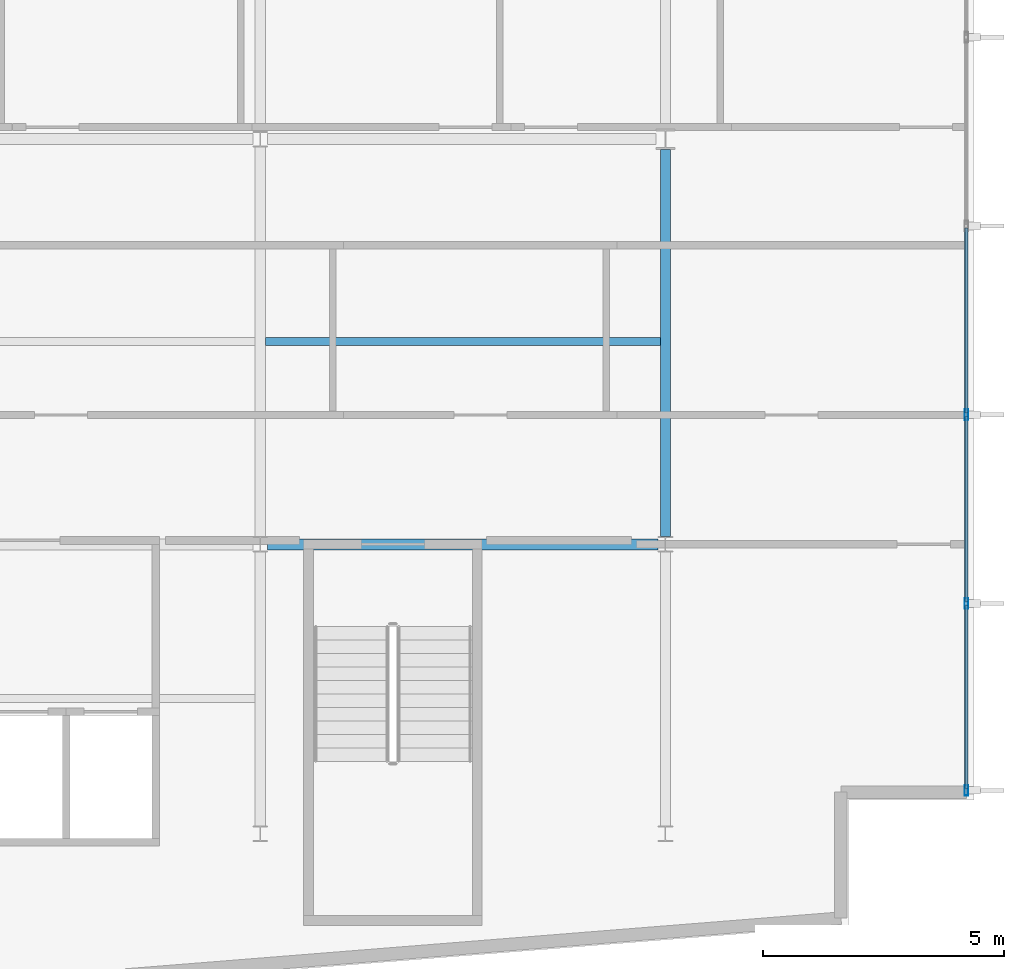
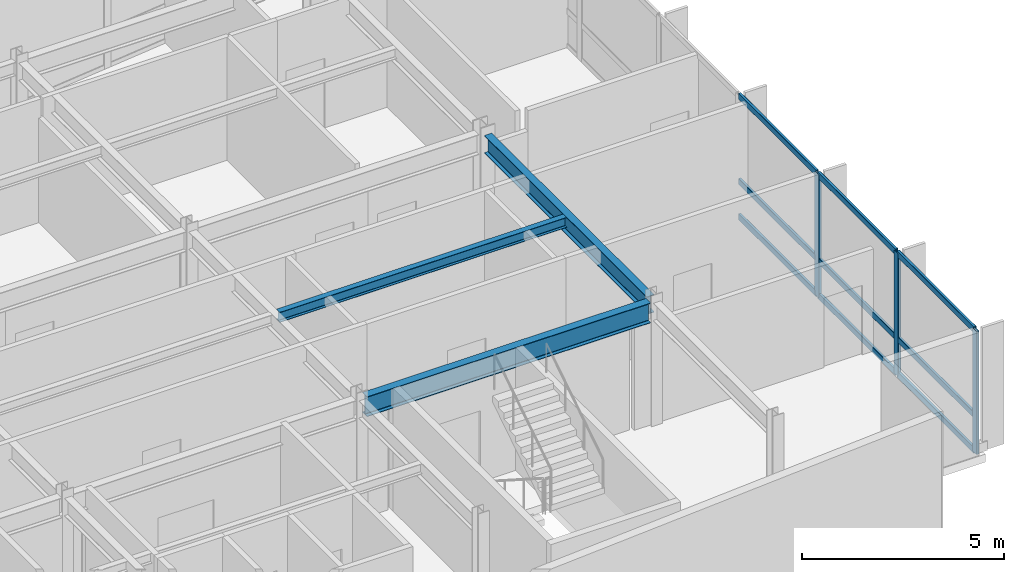
# One storey, part 5 of 18: 12 members, 3 beams, 1 element without a shape of its own.
"""IFC4 building model written with IfcOpenShell, lengths in metres."""

import ifcopenshell
import ifcopenshell.guid

model = None  # the IFC model being written
_history = None  # IfcOwnerHistory: only IFC2X3 demands one
_inside = {}  # id of a spatial element -> (the spatial element, [elements in it])
_under = {}  # id of a project, library or spatial element -> (it, [spatial elements below it])
_declared = {}  # id of a project -> (the project, [libraries it declares])
_typed = {}  # id of a type object -> (the type object, [elements of that type])
_made_of = {}  # id of a material, layer set ... -> (it, [elements and type objects made of it])


def new_model(schema):
    """Start an empty IFC model of exactly this schema.

    Asked for "IFC4X3", IfcOpenShell would pick the latest addendum, in which some entities
    have other attributes; the version numbers below select the first issue.
    IFC2X3 requires an IfcOwnerHistory on every rooted entity: one is made here for all.
    """
    global model, _history
    if schema == "IFC4X3":
        model = ifcopenshell.file(schema_version=(4, 3, 0, 0))
    else:
        model = ifcopenshell.file(schema=schema)
    _inside.clear()
    _under.clear()
    _declared.clear()
    _typed.clear()
    _made_of.clear()
    _history = None
    if model.schema == "IFC2X3":
        org = make("IfcOrganization", Name="unknown")
        user = make(
            "IfcPersonAndOrganization",
            ThePerson=make("IfcPerson", FamilyName="unknown"),
            TheOrganization=org,
        )
        app = make(
            "IfcApplication",
            ApplicationDeveloper=org,
            Version="unknown",
            ApplicationFullName="unknown",
            ApplicationIdentifier="unknown",
        )
        _history = make(
            "IfcOwnerHistory",
            OwningUser=user,
            OwningApplication=app,
            ChangeAction="ADDED",
            CreationDate=0,
        )
    return model


def make(cls, **values):
    """One entity of the class cls with the attributes given. An attribute that is None is left unset."""
    return model.create_entity(
        cls, **{name: value for name, value in values.items() if value is not None}
    )


def rooted(cls, **values):
    """An entity with a GlobalId (a new one), such as an element, a storey or a relation."""
    return make(cls, GlobalId=ifcopenshell.guid.new(), OwnerHistory=_history, **values)


def si_unit(unit_type, name, prefix=None):
    """IfcSIUnit, for example si_unit("LENGTHUNIT", "METRE", prefix="MILLI")."""
    return make("IfcSIUnit", UnitType=unit_type, Prefix=prefix, Name=name)


def assignment(units):
    """IfcUnitAssignment: the units of a project."""
    return None if units is None else make("IfcUnitAssignment", Units=units)


def point(xyz):
    """IfcCartesianPoint."""
    return None if xyz is None else make("IfcCartesianPoint", Coordinates=xyz)


def direction(xyz):
    """IfcDirection."""
    return None if xyz is None else make("IfcDirection", DirectionRatios=xyz)


def frame(location, z_axis=None, x_axis=None):
    """IfcAxis2Placement3D, a coordinate frame: its origin and axes. An axis left out is left unset."""
    return make(
        "IfcAxis2Placement3D",
        Location=point(location),
        Axis=direction(z_axis),
        RefDirection=direction(x_axis),
    )


def frame_2d(location, x_axis=None):
    """IfcAxis2Placement2D, a coordinate frame in the plane: its origin and x axis."""
    return make(
        "IfcAxis2Placement2D", Location=point(location), RefDirection=direction(x_axis)
    )


def origin():
    """The frame at (0, 0, 0) with its axes left unset."""
    return frame((0.0, 0.0, 0.0))


def origin_2d():
    """The frame at (0, 0) in the plane with its x axis left unset."""
    return frame_2d((0.0, 0.0))


def place(relative_to, where):
    """IfcLocalPlacement: puts the frame where relative to a parent placement (None: the world)."""
    return make(
        "IfcLocalPlacement", PlacementRelTo=relative_to, RelativePlacement=where
    )


def context(
    kind, dimensions, precision=None, world=None, true_north=None, identifier=None
):
    """IfcGeometricRepresentationContext, for example the 3D "Model" context."""
    return make(
        "IfcGeometricRepresentationContext",
        ContextIdentifier=identifier,
        ContextType=kind,
        CoordinateSpaceDimension=dimensions,
        Precision=precision,
        WorldCoordinateSystem=world,
        TrueNorth=true_north,
    )


def subcontext(parent, identifier, kind, view, scale=None):
    """IfcGeometricRepresentationSubContext, for example "Body" below "Model"."""
    return make(
        "IfcGeometricRepresentationSubContext",
        ContextIdentifier=identifier,
        ContextType=kind,
        ParentContext=parent,
        TargetScale=scale,
        TargetView=view,
    )


def project(units=None, contexts=None):
    """IfcProject with its units and contexts."""
    return rooted(
        "IfcProject",
        Name="project",
        RepresentationContexts=contexts,
        UnitsInContext=assignment(units),
    )


def spatial(cls, under=None, at=None, **own):
    """A site, building, storey or space (cls), placed at a placement, below another one or the project."""
    s = rooted(cls, ObjectPlacement=at, **own)
    if under is not None:
        _under.setdefault(under.id(), (under, []))[1].append(s)
    return s


def profile(cls, at=None, kind="AREA", **sizes):
    """A parametric profile (cls). Its sizes go by their IFC names, for example OverallWidth=200.0."""
    return make(cls, ProfileType=kind, Position=at, **sizes)


def hollow_rectangle(**sizes):
    """IfcRectangleHollowProfileDef."""
    return profile("IfcRectangleHollowProfileDef", **sizes)


def i_section(**sizes):
    """IfcIShapeProfileDef."""
    return profile("IfcIShapeProfileDef", **sizes)


def extrude(swept, where, along, depth):
    """IfcExtrudedAreaSolid: the profile swept, set in the frame where, extruded along a direction by depth."""
    return make(
        "IfcExtrudedAreaSolid",
        SweptArea=swept,
        Position=where,
        ExtrudedDirection=direction(along),
        Depth=depth,
    )


def shape(context_of_items, identifier, shape_type, items):
    """IfcShapeRepresentation: the items that make up one representation, for example the "Body"."""
    return make(
        "IfcShapeRepresentation",
        ContextOfItems=context_of_items,
        RepresentationIdentifier=identifier,
        RepresentationType=shape_type,
        Items=items,
    )


def material(Name=None, Category=None):
    """IfcMaterial."""
    return make("IfcMaterial", Name=Name, Category=Category)


def layer(
    of_material, thickness, ventilated=None, Name=None, Category=None, Priority=None
):
    """IfcMaterialLayer: one layer of a wall or slab, of a material (None: an air gap)."""
    return make(
        "IfcMaterialLayer",
        Material=of_material,
        LayerThickness=thickness,
        IsVentilated=ventilated,
        Name=Name,
        Category=Category,
        Priority=Priority,
    )


def layer_set(layers, Name=None):
    """IfcMaterialLayerSet."""
    return make("IfcMaterialLayerSet", MaterialLayers=layers, LayerSetName=Name)


def material_profile(
    of_material, cross_section, Name=None, Category=None, Priority=None
):
    """IfcMaterialProfile: a cross section and its material."""
    return make(
        "IfcMaterialProfile",
        Name=Name,
        Material=of_material,
        Profile=cross_section,
        Priority=Priority,
        Category=Category,
    )


def profile_set(profiles, Name=None, composite=None):
    """IfcMaterialProfileSet."""
    return make(
        "IfcMaterialProfileSet",
        Name=Name,
        MaterialProfiles=profiles,
        CompositeProfile=composite,
    )


def made_of(thing, what):
    """Note that an element or type object is made of a material, layer set ...; save() writes the relation."""
    if what is not None:
        _made_of.setdefault(what.id(), (what, []))[1].append(thing)
    return thing


def type_object(cls, material=None, **own):
    """A type object (cls), such as IfcWallType, which elements share."""
    return made_of(rooted(cls, **own), material)


def element(
    cls,
    number,
    at=None,
    inside=None,
    cuts=None,
    type_object=None,
    material=None,
    context=None,
    identifier="Body",
    shape_type=None,
    held_by="IfcProductDefinitionShape",
    body=None,
    shapes=None,
    **own,
):
    """One element of the class cls, such as IfcWall. Its Tag is "e" and its number.

    at: its placement. inside: the storey or other place that contains it. cuts: it is an
    opening in that element (IfcRelVoidsElement). A single representation is given by context,
    identifier, shape_type and body (its items); several are given by shapes. held_by: the class
    of the entity that holds the representations. save() writes the other relations.
    """
    e = rooted(cls, Tag="e%d" % number, ObjectPlacement=at, **own)
    if body is not None:
        shapes = [shape(context, identifier, shape_type, body)]
    if shapes is not None:
        e.Representation = make(held_by, Representations=shapes)
    if inside is not None:
        _inside.setdefault(inside.id(), (inside, []))[1].append(e)
    if cuts is not None:
        rooted(
            "IfcRelVoidsElement", RelatingBuildingElement=cuts, RelatedOpeningElement=e
        )
    if type_object is not None:
        _typed.setdefault(type_object.id(), (type_object, []))[1].append(e)
    return made_of(e, material)


def aggregate(whole, parts):
    """IfcRelAggregates: a whole, such as a stair, and the parts it consists of."""
    return rooted("IfcRelAggregates", RelatingObject=whole, RelatedObjects=parts)


def save(model, path):
    """Write the relations noted so far, then the file.

    IfcRelAggregates (storeys below a building ...), IfcRelContainedInSpatialStructure (elements
    in a storey), IfcRelDefinesByType, IfcRelAssociatesMaterial and IfcRelDeclares: one each for
    every whole, place, type object, material and project.
    """
    for whole, parts in _under.values():
        aggregate(whole, parts)
    for where, things in _inside.values():
        rooted(
            "IfcRelContainedInSpatialStructure",
            RelatedElements=things,
            RelatingStructure=where,
        )
    for kind, things in _typed.values():
        rooted("IfcRelDefinesByType", RelatedObjects=things, RelatingType=kind)
    for what, things in _made_of.values():
        rooted("IfcRelAssociatesMaterial", RelatedObjects=things, RelatingMaterial=what)
    for by, libraries in _declared.values():
        rooted("IfcRelDeclares", RelatingContext=by, RelatedDefinitions=libraries)
    model.write(path)


model = new_model("IFC4")

# Units and contexts
model_context = context("Model", 3, precision=1e-05, world=origin(), true_north=direction((0.0, 1.0)))
body_context = subcontext(model_context, "Body", "Model", "MODEL_VIEW")
ifc_project = project(units=[si_unit("LENGTHUNIT", "METRE"), si_unit("AREAUNIT", "SQUARE_METRE"), si_unit("VOLUMEUNIT", "CUBIC_METRE"), si_unit("PLANEANGLEUNIT", "RADIAN"), si_unit("MASSUNIT", "GRAM", prefix="KILO")], contexts=[model_context])

# Site, building, storey
site_placement = place(None, origin())
site = spatial("IfcSite", under=ifc_project, at=site_placement, CompositionType="ELEMENT")
building_placement = place(site_placement, origin())
building = spatial("IfcBuilding", under=site, at=building_placement, Name="Varnakote Quay Hospital", CompositionType="ELEMENT")
storey_placement = place(building_placement, frame((0.0, 0.0, 107.300048828125)))
storey = spatial("IfcBuildingStorey", under=building, at=storey_placement, Name="L26", CompositionType="ELEMENT", Elevation=107.300048828125)

# Beams
ifc_material_1 = material(Name="Structural steel AS/NZS 3679.1 Grade 350 L0 (fy 340 MPa)", Category="steel")
ifc_material_profile_1 = material_profile(ifc_material_1, i_section(OverallWidth=0.208984375, OverallDepth=0.532958984375, WebThickness=0.01025390625, FlangeThickness=0.015625, FilletRadius=0.013916015625, at=origin_2d()), Name="530UB92.4")
ifc_profile_set_1 = profile_set([ifc_material_profile_1], Name="Structural steel AS/NZS 3679.1 Grade 350 L0 (fy 340 MPa)")
beam_type_1 = type_object("IfcBeamType", Name="BM-STL-530UB92-4", PredefinedType="BEAM", material=ifc_profile_set_1)
beam_1_placement = place(storey_placement, frame((50.39990234375, 12.160400390625, 3.443359375), z_axis=(0.0, 1.0, 0.0), x_axis=(-1.0, 0.0, 0.0)))
element("IfcBeam", 1, at=beam_1_placement, inside=storey, type_object=beam_type_1, Name="L26 Primary Tie Beam", PredefinedType="BEAM", context=body_context, shape_type="SweptSolid", body=[
    extrude(i_section(OverallWidth=0.208984375, OverallDepth=0.532958984375, WebThickness=0.01025390625, FlangeThickness=0.015625, FilletRadius=0.013916015625, at=origin_2d()), origin(), (0.0, 0.0, 1.0), 8.029541015625),
])
ifc_material_2 = material(Name="Structural steel AS/NZS 3679.1 Grade 350 L0 (fy 340 MPa)", Category="steel")
ifc_material_profile_2 = material_profile(ifc_material_2, i_section(OverallWidth=0.22802734375, OverallDepth=0.60205078125, WebThickness=0.010498046875, FlangeThickness=0.014892578125, FilletRadius=0.013916015625, at=origin_2d()), Name="610UB101")
ifc_profile_set_2 = profile_set([ifc_material_profile_2], Name="Structural steel AS/NZS 3679.1 Grade 350 L0 (fy 340 MPa)")
beam_type_2 = type_object("IfcBeamType", Name="BM-STL-610UB101", PredefinedType="BEAM", material=ifc_profile_set_2)
beam_2_placement = place(storey_placement, frame((42.154541015625, 12.0, 3.408935546875), z_axis=(1.0, 0.0, 0.0), x_axis=(0.0, 1.0, 0.0)))
element("IfcBeam", 2, at=beam_2_placement, inside=storey, type_object=beam_type_2, Name="L26 Primary Floor Beam", PredefinedType="BEAM", context=body_context, shape_type="SweptSolid", body=[
    extrude(i_section(OverallWidth=0.22802734375, OverallDepth=0.60205078125, WebThickness=0.010498046875, FlangeThickness=0.014892578125, FilletRadius=0.013916015625, at=origin_2d()), origin(), (0.0, 0.0, 1.0), 8.091064453125),
])

# Curtain wall, members
ifc_material_3 = material(Name="Anodised aluminium 6063-T6 Bronze", Category="aluminium")
ifc_layer = layer(ifc_material_3, 0.205078125)
ifc_layer_set = layer_set([ifc_layer], Name="Anodised aluminium 6063-T6 Bronze")
curtain_wall_type = type_object("IfcCurtainWallType", Name="CW-SYS-3", PredefinedType="NOTDEFINED", material=ifc_layer_set)
curtain_wall_placement = place(storey_placement, origin())
curtain_wall = element("IfcCurtainWall", 3, at=curtain_wall_placement, inside=storey, type_object=curtain_wall_type, Name="L26 Unitised Bronze Curtain Wall 1", PredefinedType="NOTDEFINED")
ifc_material_4 = material(Name="Anodised aluminium 6063-T6 Bronze", Category="aluminium")
ifc_material_profile_3 = material_profile(ifc_material_4, hollow_rectangle(XDim=0.074951171875, YDim=0.219970703125, WallThickness=0.00439453125, InnerFilletRadius=0.00439453125, OuterFilletRadius=0.009033203125, at=origin_2d()), Name="CW-MULL-220x75")
ifc_profile_set_3 = profile_set([ifc_material_profile_3], Name="Anodised aluminium 6063-T6 Bronze")
member_type_1 = type_object("IfcMemberType", Name="CW-MULL-220x75", PredefinedType="MULLION", material=ifc_profile_set_3)
member_1_placement = place(storey_placement, frame((56.639892578125, 6.8974609375, 0.0), z_axis=(0.0, 0.0, 1.0), x_axis=(-1.0, 0.0, 0.0)))
member_1 = element("IfcMember", 4, at=member_1_placement, type_object=member_type_1, Name="-3-L26-1 mullion 1", PredefinedType="MULLION", context=body_context, shape_type="SweptSolid", body=[
    extrude(hollow_rectangle(XDim=0.074951171875, YDim=0.219970703125, WallThickness=0.00439453125, InnerFilletRadius=0.00439453125, OuterFilletRadius=0.009033203125, at=origin_2d()), origin(), (0.0, 0.0, 1.0), 3.7099609375),
])
member_2_placement = place(storey_placement, frame((56.639892578125, 10.7734375, 0.0), z_axis=(0.0, 0.0, 1.0), x_axis=(-1.0, 0.0, 0.0)))
member_2 = element("IfcMember", 5, at=member_2_placement, type_object=member_type_1, Name="-3-L26-1 mullion 2", PredefinedType="MULLION", context=body_context, shape_type="SweptSolid", body=[
    extrude(hollow_rectangle(XDim=0.074951171875, YDim=0.219970703125, WallThickness=0.00439453125, InnerFilletRadius=0.00439453125, OuterFilletRadius=0.009033203125, at=origin_2d()), origin(), (0.0, 0.0, 1.0), 3.7099609375),
])
member_3_placement = place(storey_placement, frame((56.639892578125, 14.686767578125, 0.0), z_axis=(0.0, 0.0, 1.0), x_axis=(-1.0, 0.0, 0.0)))
member_3 = element("IfcMember", 6, at=member_3_placement, type_object=member_type_1, Name="-3-L26-1 mullion 3", PredefinedType="MULLION", context=body_context, shape_type="SweptSolid", body=[
    extrude(hollow_rectangle(XDim=0.074951171875, YDim=0.219970703125, WallThickness=0.00439453125, InnerFilletRadius=0.00439453125, OuterFilletRadius=0.009033203125, at=origin_2d()), origin(), (0.0, 0.0, 1.0), 3.7099609375),
])
ifc_material_5 = material(Name="Anodised aluminium 6063-T6 Bronze", Category="aluminium")
ifc_material_profile_4 = material_profile(ifc_material_5, hollow_rectangle(XDim=0.074951171875, YDim=0.179931640625, WallThickness=0.004150390625, InnerFilletRadius=0.004150390625, OuterFilletRadius=0.00830078125, at=origin_2d()), Name="CW-TRAN-180x75")
ifc_profile_set_4 = profile_set([ifc_material_profile_4], Name="Anodised aluminium 6063-T6 Bronze")
member_type_2 = type_object("IfcMemberType", Name="CW-TRAN-180x75", PredefinedType="USERDEFINED", material=ifc_profile_set_4)
member_4_placement = place(storey_placement, frame((56.639892578125, 6.93505859375, 0.037353515625), z_axis=(0.0, 1.0, 0.0), x_axis=(-1.0, 0.0, 0.0)))
member_4 = element("IfcMember", 7, at=member_4_placement, type_object=member_type_2, Name="-3-L26-1 transom 1.1", ObjectType="TRANSOM", PredefinedType="USERDEFINED", context=body_context, shape_type="SweptSolid", body=[
    extrude(hollow_rectangle(XDim=0.074951171875, YDim=0.179931640625, WallThickness=0.004150390625, InnerFilletRadius=0.004150390625, OuterFilletRadius=0.00830078125, at=origin_2d()), origin(), (0.0, 0.0, 1.0), 3.80078125),
])
member_5_placement = place(storey_placement, frame((56.639892578125, 6.93505859375, 1.099853515625), z_axis=(0.0, 1.0, 0.0), x_axis=(-1.0, 0.0, 0.0)))
member_5 = element("IfcMember", 8, at=member_5_placement, type_object=member_type_2, Name="-3-L26-1 transom 1.2", ObjectType="TRANSOM", PredefinedType="USERDEFINED", context=body_context, shape_type="SweptSolid", body=[
    extrude(hollow_rectangle(XDim=0.074951171875, YDim=0.179931640625, WallThickness=0.004150390625, InnerFilletRadius=0.004150390625, OuterFilletRadius=0.00830078125, at=origin_2d()), origin(), (0.0, 0.0, 1.0), 3.80078125),
])
member_6_placement = place(storey_placement, frame((56.639892578125, 6.93505859375, 3.67236328125), z_axis=(0.0, 1.0, 0.0), x_axis=(-1.0, 0.0, 0.0)))
member_6 = element("IfcMember", 9, at=member_6_placement, type_object=member_type_2, Name="-3-L26-1 transom 1.3", ObjectType="TRANSOM", PredefinedType="USERDEFINED", context=body_context, shape_type="SweptSolid", body=[
    extrude(hollow_rectangle(XDim=0.074951171875, YDim=0.179931640625, WallThickness=0.004150390625, InnerFilletRadius=0.004150390625, OuterFilletRadius=0.00830078125, at=origin_2d()), origin(), (0.0, 0.0, 1.0), 3.80078125),
])
member_7_placement = place(storey_placement, frame((56.639892578125, 10.810791015625, 0.037353515625), z_axis=(0.0, 1.0, 0.0), x_axis=(-1.0, 0.0, 0.0)))
member_7 = element("IfcMember", 10, at=member_7_placement, type_object=member_type_2, Name="-3-L26-1 transom 2.1", ObjectType="TRANSOM", PredefinedType="USERDEFINED", context=body_context, shape_type="SweptSolid", body=[
    extrude(hollow_rectangle(XDim=0.074951171875, YDim=0.179931640625, WallThickness=0.004150390625, InnerFilletRadius=0.004150390625, OuterFilletRadius=0.00830078125, at=origin_2d()), origin(), (0.0, 0.0, 1.0), 3.83837890625),
])
member_8_placement = place(storey_placement, frame((56.639892578125, 10.810791015625, 1.099853515625), z_axis=(0.0, 1.0, 0.0), x_axis=(-1.0, 0.0, 0.0)))
member_8 = element("IfcMember", 11, at=member_8_placement, type_object=member_type_2, Name="-3-L26-1 transom 2.2", ObjectType="TRANSOM", PredefinedType="USERDEFINED", context=body_context, shape_type="SweptSolid", body=[
    extrude(hollow_rectangle(XDim=0.074951171875, YDim=0.179931640625, WallThickness=0.004150390625, InnerFilletRadius=0.004150390625, OuterFilletRadius=0.00830078125, at=origin_2d()), origin(), (0.0, 0.0, 1.0), 3.83837890625),
])
member_9_placement = place(storey_placement, frame((56.639892578125, 10.810791015625, 3.67236328125), z_axis=(0.0, 1.0, 0.0), x_axis=(-1.0, 0.0, 0.0)))
member_9 = element("IfcMember", 12, at=member_9_placement, type_object=member_type_2, Name="-3-L26-1 transom 2.3", ObjectType="TRANSOM", PredefinedType="USERDEFINED", context=body_context, shape_type="SweptSolid", body=[
    extrude(hollow_rectangle(XDim=0.074951171875, YDim=0.179931640625, WallThickness=0.004150390625, InnerFilletRadius=0.004150390625, OuterFilletRadius=0.00830078125, at=origin_2d()), origin(), (0.0, 0.0, 1.0), 3.83837890625),
])
member_10_placement = place(storey_placement, frame((56.639892578125, 14.72412109375, 0.037353515625), z_axis=(0.0, 1.0, 0.0), x_axis=(-1.0, 0.0, 0.0)))
member_10 = element("IfcMember", 13, at=member_10_placement, type_object=member_type_2, Name="-3-L26-1 transom 3.1", ObjectType="TRANSOM", PredefinedType="USERDEFINED", context=body_context, shape_type="SweptSolid", body=[
    extrude(hollow_rectangle(XDim=0.074951171875, YDim=0.179931640625, WallThickness=0.004150390625, InnerFilletRadius=0.004150390625, OuterFilletRadius=0.00830078125, at=origin_2d()), origin(), (0.0, 0.0, 1.0), 3.83837890625),
])
member_11_placement = place(storey_placement, frame((56.639892578125, 14.72412109375, 1.099853515625), z_axis=(0.0, 1.0, 0.0), x_axis=(-1.0, 0.0, 0.0)))
member_11 = element("IfcMember", 14, at=member_11_placement, type_object=member_type_2, Name="-3-L26-1 transom 3.2", ObjectType="TRANSOM", PredefinedType="USERDEFINED", context=body_context, shape_type="SweptSolid", body=[
    extrude(hollow_rectangle(XDim=0.074951171875, YDim=0.179931640625, WallThickness=0.004150390625, InnerFilletRadius=0.004150390625, OuterFilletRadius=0.00830078125, at=origin_2d()), origin(), (0.0, 0.0, 1.0), 3.83837890625),
])
member_12_placement = place(storey_placement, frame((56.639892578125, 14.72412109375, 3.67236328125), z_axis=(0.0, 1.0, 0.0), x_axis=(-1.0, 0.0, 0.0)))
member_12 = element("IfcMember", 15, at=member_12_placement, type_object=member_type_2, Name="-3-L26-1 transom 3.3", ObjectType="TRANSOM", PredefinedType="USERDEFINED", context=body_context, shape_type="SweptSolid", body=[
    extrude(hollow_rectangle(XDim=0.074951171875, YDim=0.179931640625, WallThickness=0.004150390625, InnerFilletRadius=0.004150390625, OuterFilletRadius=0.00830078125, at=origin_2d()), origin(), (0.0, 0.0, 1.0), 3.83837890625),
])
aggregate(curtain_wall, [member_1, member_2, member_3, member_4, member_5, member_6, member_7, member_8, member_9, member_10, member_11, member_12])

# Beam
ifc_material_6 = material(Name="Structural steel AS/NZS 3679.1 Grade 350 L0 (fy 340 MPa)", Category="steel")
ifc_material_profile_5 = material_profile(ifc_material_6, i_section(OverallWidth=0.166015625, OverallDepth=0.306884765625, WebThickness=0.006591796875, FlangeThickness=0.01171875, FilletRadius=0.011474609375, at=origin_2d()), Name="310UB46.2")
ifc_profile_set_5 = profile_set([ifc_material_profile_5], Name="Structural steel AS/NZS 3679.1 Grade 350 L0 (fy 340 MPa)")
beam_type_3 = type_object("IfcBeamType", Name="JST-STL-310UB46-2", PredefinedType="JOIST", material=ifc_profile_set_5)
beam_3_placement = place(storey_placement, frame((42.1044921875, 16.199951171875, 3.556396484375), z_axis=(1.0, 0.0, 0.0), x_axis=(0.0, 1.0, 0.0)))
element("IfcBeam", 16, at=beam_3_placement, inside=storey, type_object=beam_type_3, Name="L26 Composite Floor Joist", PredefinedType="JOIST", context=body_context, shape_type="SweptSolid", body=[
    extrude(i_section(OverallWidth=0.166015625, OverallDepth=0.306884765625, WebThickness=0.006591796875, FlangeThickness=0.01171875, FilletRadius=0.011474609375, at=origin_2d()), origin(), (0.0, 0.0, 1.0), 8.19091796875),
])

save(model, "model.ifc")
